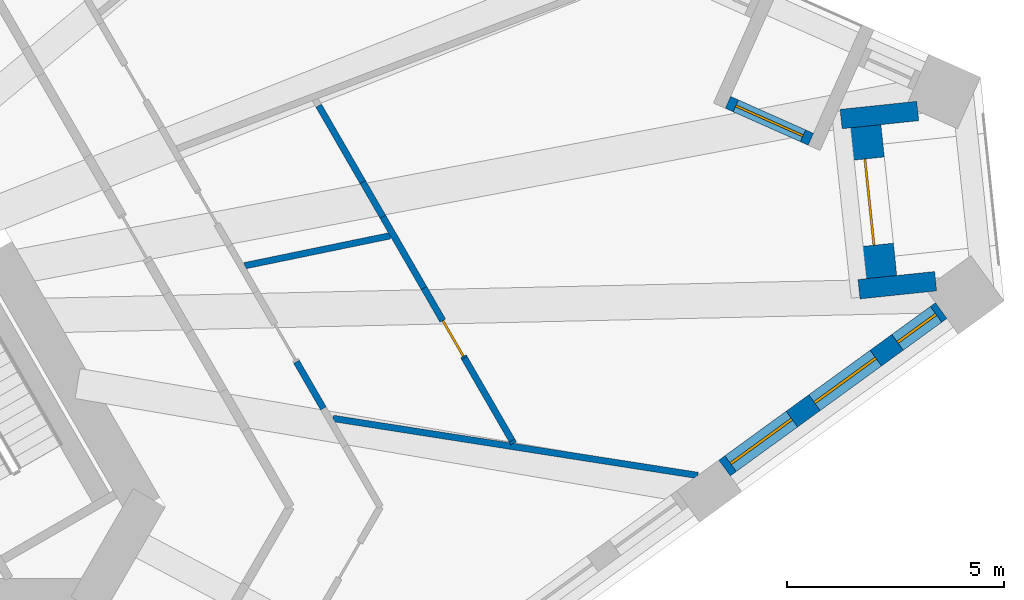
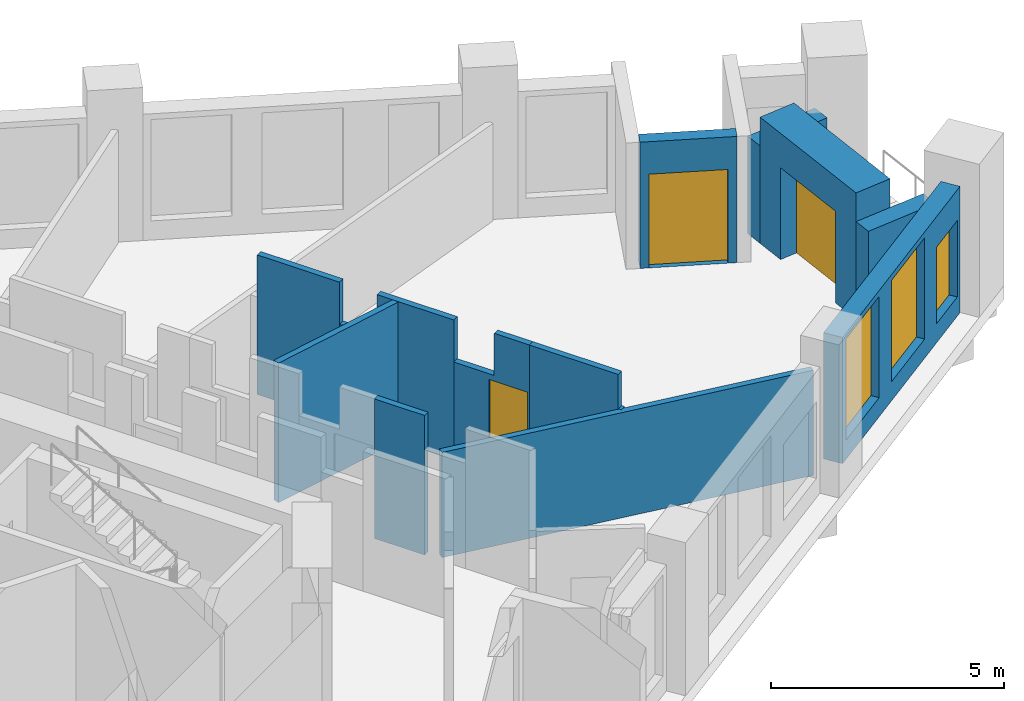
# One storey, part 6 of 14: 14 walls, 3 doors, 3 windows, 6 openings.
"""IFC4 building model written with IfcOpenShell, lengths in metres."""

from ifc_helpers import new_model, si_unit, direction, frame, frame_2d, origin, place, context, subcontext, project, spatial, polyline, rectangle, outline, extrude, material, layer, layer_set, type_object, element, fill, save


model = new_model("IFC4")

# Units and contexts
model_context = context("Model", 3, precision=1e-05, world=origin(), true_north=direction((0.0, 1.0)))
body_context = subcontext(model_context, "Body", "Model", "MODEL_VIEW")
ifc_project = project(units=[si_unit("LENGTHUNIT", "METRE"), si_unit("AREAUNIT", "SQUARE_METRE"), si_unit("VOLUMEUNIT", "CUBIC_METRE"), si_unit("PLANEANGLEUNIT", "RADIAN"), si_unit("MASSUNIT", "GRAM", prefix="KILO")], contexts=[model_context])

# Site, building, storey
site_placement = place(None, origin())
site = spatial("IfcSite", under=ifc_project, at=site_placement, CompositionType="ELEMENT")
building_placement = place(site_placement, origin())
building = spatial("IfcBuilding", under=site, at=building_placement, Name="Tramontana Tower", CompositionType="ELEMENT")
storey_placement = place(building_placement, frame((0.0, 0.0, 170.800048828125)))
storey = spatial("IfcBuildingStorey", under=building, at=storey_placement, Name="L39", CompositionType="ELEMENT", Elevation=170.800048828125)

# Wall, openings, windows
ifc_material_1 = material(Name="Precast concrete 60 MPa", Category="concrete")
ifc_layer_1 = layer(ifc_material_1, 0.449951171875)
ifc_layer_set_1 = layer_set([ifc_layer_1], Name="Precast concrete 60 MPa, 450 mm")
wall_type_1 = type_object("IfcWallType", Name="EW1 Stone-faced precast wall 450", PredefinedType="SOLIDWALL", material=ifc_layer_set_1)
wall_1_placement = place(storey_placement, frame((23.159423828125, -3.3525390625, 0.0), z_axis=(0.0, 0.0, 1.0), x_axis=(0.809005790194, 0.587800673215, 0.0)))
wall_1 = element("IfcWall", 1, at=wall_1_placement, inside=storey, type_object=wall_type_1, Name="External wall L39 face 1 bay 6", PredefinedType="SOLIDWALL", context=body_context, shape_type="SweptSolid", body=[
    extrude(rectangle(XDim=6.182861328125, YDim=0.449951171875, at=frame_2d((3.09130859375, 0.0))), origin(), (0.0, 0.0, 1.0), 3.300048828125),
])
opening_1_placement = place(wall_1_placement, frame((0.172119140625, 0.0, 0.5)))
opening_1 = element("IfcOpeningElement", 2, at=opening_1_placement, cuts=wall_1, Name="Opening M2", PredefinedType="OPENING", context=body_context, shape_type="SweptSolid", body=[
    extrude(rectangle(XDim=1.75, YDim=2.64990234375, at=frame_2d((0.875, 1.324951171875))), frame((0.0, 0.23486328125, 0.0), z_axis=(0.0, -1.0, 0.0), x_axis=(1.0, 0.0, 0.0)), (0.0, 0.0, 1.0), 0.469970703125),
])
opening_2_placement = place(wall_1_placement, frame((2.56640625, 0.0, 0.5)))
opening_2 = element("IfcOpeningElement", 3, at=opening_2_placement, cuts=wall_1, Name="Opening M2", PredefinedType="OPENING", context=body_context, shape_type="SweptSolid", body=[
    extrude(rectangle(XDim=1.75, YDim=2.64990234375, at=frame_2d((0.875, 1.324951171875))), frame((0.0, 0.23486328125, 0.0), z_axis=(0.0, -1.0, 0.0), x_axis=(1.0, 0.0, 0.0)), (0.0, 0.0, 1.0), 0.469970703125),
])
opening_3_placement = place(wall_1_placement, frame((4.935791015625, 0.0, 0.5)))
opening_3 = element("IfcOpeningElement", 4, at=opening_3_placement, cuts=wall_1, Name="Opening N2L", PredefinedType="OPENING", context=body_context, shape_type="SweptSolid", body=[
    extrude(rectangle(XDim=1.10009765625, YDim=2.0, at=frame_2d((0.550048828125, 1.0))), frame((0.0, 0.23486328125, 0.0), z_axis=(0.0, -1.0, 0.0), x_axis=(1.0, 0.0, 0.0)), (0.0, 0.0, 1.0), 0.469970703125),
])
ifc_material_2 = material(Name="Aluminum frame, double glazing unit", Category="aluminium")
window_type_1 = type_object("IfcWindowType", Name="M2 Window 1.75 x 2.65", PartitioningType="SINGLE_PANEL", PredefinedType="WINDOW", material=ifc_material_2)
window_1_placement = place(opening_1_placement, origin())
window_1 = element("IfcWindow", 5, at=window_1_placement, inside=storey, type_object=window_type_1, Name="Window M2 L39 face 1 module 16", OverallHeight=2.64990234375, OverallWidth=1.75, PartitioningType="SINGLE_PANEL", PredefinedType="WINDOW", context=body_context, shape_type="SweptSolid", body=[
    extrude(rectangle(XDim=1.75, YDim=2.64990234375, at=frame_2d((0.875, 1.324951171875))), frame((0.0, 0.030029296875, 0.0), z_axis=(0.0, -1.0, 0.0), x_axis=(1.0, 0.0, 0.0)), (0.0, 0.0, 1.0), 0.06005859375),
])
fill(opening_1, window_1)
window_2_placement = place(opening_2_placement, origin())
window_2 = element("IfcWindow", 6, at=window_2_placement, inside=storey, type_object=window_type_1, Name="Window M2 L39 face 1 module 17", OverallHeight=2.64990234375, OverallWidth=1.75, PartitioningType="SINGLE_PANEL", PredefinedType="WINDOW", context=body_context, shape_type="SweptSolid", body=[
    extrude(rectangle(XDim=1.75, YDim=2.64990234375, at=frame_2d((0.875, 1.324951171875))), frame((0.0, 0.030029296875, 0.0), z_axis=(0.0, -1.0, 0.0), x_axis=(1.0, 0.0, 0.0)), (0.0, 0.0, 1.0), 0.06005859375),
])
fill(opening_2, window_2)
ifc_material_3 = material(Name="Aluminum frame, double glazing unit", Category="aluminium")
window_type_2 = type_object("IfcWindowType", Name="N2L Window 1.1 x 2", PartitioningType="SINGLE_PANEL", PredefinedType="WINDOW", material=ifc_material_3)
window_3_placement = place(opening_3_placement, origin())
window_3 = element("IfcWindow", 7, at=window_3_placement, inside=storey, type_object=window_type_2, Name="Window N2L L39 face 1 module 18", OverallHeight=2.0, OverallWidth=1.10009765625, PartitioningType="SINGLE_PANEL", PredefinedType="WINDOW", context=body_context, shape_type="SweptSolid", body=[
    extrude(rectangle(XDim=1.10009765625, YDim=2.0, at=frame_2d((0.550048828125, 1.0))), frame((0.0, 0.030029296875, 0.0), z_axis=(0.0, -1.0, 0.0), x_axis=(1.0, 0.0, 0.0)), (0.0, 0.0, 1.0), 0.06005859375),
])
fill(opening_3, window_3)

# Walls
wall_2_placement = place(storey_placement, frame((27.619384765625, 4.888916015625, 0.0), z_axis=(0.0, 0.0, 1.0), x_axis=(-0.994517477618, -0.104570486815, 0.0)))
element("IfcWall", 8, at=wall_2_placement, inside=storey, type_object=wall_type_1, Name="Corner loggia side wall L39 K42l", PredefinedType="SOLIDWALL", context=body_context, shape_type="SweptSolid", body=[
    extrude(rectangle(XDim=1.779052734375, YDim=0.449951171875, at=frame_2d((0.8896484375, 0.0))), origin(), (0.0, 0.0, 1.0), 2.550048828125),
])
wall_3_placement = place(storey_placement, frame((28.032470703125, 0.96044921875, 0.0), z_axis=(0.0, 0.0, 1.0), x_axis=(-0.994518977937, -0.104556217051, 0.0)))
element("IfcWall", 9, at=wall_3_placement, inside=storey, type_object=wall_type_1, Name="Corner loggia side wall L39 K42r", PredefinedType="SOLIDWALL", context=body_context, shape_type="SweptSolid", body=[
    extrude(rectangle(XDim=1.779296875, YDim=0.449951171875, at=frame_2d((0.8896484375, 0.0))), origin(), (0.0, 0.0, 1.0), 2.550048828125),
])

# Wall, opening, door
ifc_material_4 = material(Name="Precast concrete 60 MPa", Category="concrete")
ifc_layer_2 = layer(ifc_material_4, 0.89990234375)
ifc_layer_set_2 = layer_set([ifc_layer_2], Name="EW2 Stone-faced corner loggia wall 900")
wall_type_2 = type_object("IfcWallType", Name="EW2 Stone-faced corner loggia wall 900", PredefinedType="SOLIDWALL", material=ifc_layer_set_2)
wall_4_placement = place(storey_placement, frame((26.321044921875, 4.526123046875, 0.0), z_axis=(0.0, 0.0, 1.0), x_axis=(0.104557701916, -0.994518821828, 0.0)))
wall_4 = element("IfcWall", 10, at=wall_4_placement, inside=storey, type_object=wall_type_2, Name="Corner loggia wall L39 K42", PredefinedType="SOLIDWALL", context=body_context, shape_type="SweptSolid", body=[
    extrude(rectangle(XDim=3.500244140625, YDim=0.89990234375, at=frame_2d((1.75, 0.0))), origin(), (0.0, 0.0, 1.0), 3.300048828125),
])
opening_4_placement = place(wall_4_placement, frame((0.75, 0.0, 0.0)))
opening_4 = element("IfcOpeningElement", 11, at=opening_4_placement, cuts=wall_4, Name="Opening BD-42C", PredefinedType="OPENING", context=body_context, shape_type="SweptSolid", body=[
    extrude(rectangle(XDim=2.0, YDim=2.39990234375, at=frame_2d((1.0, 1.199951171875))), frame((0.0, 0.4599609375, 0.0), z_axis=(0.0, -1.0, 0.0), x_axis=(1.0, 0.0, 0.0)), (0.0, 0.0, 1.0), 0.919921875),
])
ifc_material_5 = material(Name="Aluminum frame, double glazing unit", Category="aluminium")
door_type_1 = type_object("IfcDoorType", Name="BC1 Sliding door 2 x 2.4", OperationType="SLIDING_TO_LEFT", PredefinedType="DOOR", material=ifc_material_5)
door_1_placement = place(opening_4_placement, origin())
door_1 = element("IfcDoor", 12, at=door_1_placement, inside=storey, type_object=door_type_1, Name="Corner loggia door L39 K42", OperationType="SLIDING_TO_LEFT", OverallHeight=2.39990234375, OverallWidth=2.0, PredefinedType="DOOR", context=body_context, shape_type="SweptSolid", body=[
    extrude(rectangle(XDim=2.0, YDim=2.39990234375, at=frame_2d((1.0, 1.199951171875))), frame((0.0, 0.02490234375, 0.0), z_axis=(0.0, -1.0, 0.0), x_axis=(1.0, 0.0, 0.0)), (0.0, 0.0, 1.0), 0.050048828125),
])
fill(opening_4, door_1)

ifc_material_6 = material(Name="Precast concrete 60 MPa", Category="concrete")
ifc_layer_3 = layer(ifc_material_6, 0.300048828125)
ifc_layer_set_3 = layer_set([ifc_layer_3], Name="LW1 Stone-faced loggia wall 300")
wall_type_3 = type_object("IfcWallType", Name="LW1 Stone-faced loggia wall 300", PredefinedType="SOLIDWALL", material=ifc_layer_set_3)
wall_5_placement = place(storey_placement, frame((25.15185546875, 4.236083984375, 0.0), z_axis=(0.0, 0.0, 1.0), x_axis=(-0.913556597974, 0.40671162056, 0.0)))
wall_5 = element("IfcWall", 13, at=wall_5_placement, inside=storey, type_object=wall_type_3, Name="Loggia wall L39 G4S2.1", PredefinedType="SOLIDWALL", context=body_context, shape_type="SweptSolid", body=[
    extrude(rectangle(XDim=2.094482421875, YDim=0.300048828125, at=frame_2d((1.04736328125, 0.0))), origin(), (0.0, 0.0, 1.0), 3.300048828125),
])
opening_5_placement = place(wall_5_placement, frame((0.197265625, 0.0, 0.0)))
opening_5 = element("IfcOpeningElement", 14, at=opening_5_placement, cuts=wall_5, Name="Opening BD-4S2-01", PredefinedType="OPENING", context=body_context, shape_type="SweptSolid", body=[
    extrude(rectangle(XDim=1.699951171875, YDim=2.449951171875, at=frame_2d((0.85009765625, 1.22509765625))), frame((0.0, 0.159912109375, 0.0), z_axis=(0.0, -1.0, 0.0), x_axis=(1.0, 0.0, 0.0)), (0.0, 0.0, 1.0), 0.320068359375),
])
ifc_material_7 = material(Name="Aluminum frame, double glazing unit", Category="aluminium")
door_type_2 = type_object("IfcDoorType", Name="BD2 Sliding door 1.7 x 2.45", OperationType="SLIDING_TO_LEFT", PredefinedType="DOOR", material=ifc_material_7)
door_2_placement = place(opening_5_placement, origin())
door_2 = element("IfcDoor", 15, at=door_2_placement, inside=storey, type_object=door_type_2, Name="Loggia door L39 G4S2.1", OperationType="SLIDING_TO_LEFT", OverallHeight=2.449951171875, OverallWidth=1.699951171875, PredefinedType="DOOR", context=body_context, shape_type="SweptSolid", body=[
    extrude(rectangle(XDim=1.699951171875, YDim=2.449951171875, at=frame_2d((0.85009765625, 1.22509765625))), frame((0.0, 0.02490234375, 0.0), z_axis=(0.0, -1.0, 0.0), x_axis=(1.0, 0.0, 0.0)), (0.0, 0.0, 1.0), 0.050048828125),
])
fill(opening_5, door_2)

# Walls
ifc_material_8 = material(Name="Gypsum board partition")
ifc_layer_4 = layer(ifc_material_8, 0.14990234375)
ifc_layer_set_4 = layer_set([ifc_layer_4], Name="PARTITION 150")
wall_type_4 = type_object("IfcWallType", Name="PARTITION 150", PredefinedType="PARTITIONING", material=ifc_layer_set_4)
wall_6_placement = place(storey_placement, frame((13.279052734375, -0.900146484375, 0.0), z_axis=(0.0, 0.0, 1.0), x_axis=(0.500090980937, -0.865972869544, 0.0)))
element("IfcWall", 16, at=wall_6_placement, inside=storey, type_object=wall_type_4, Name="Wall v40-pw24-9", PredefinedType="PARTITIONING", context=body_context, shape_type="SweptSolid", body=[
    extrude(rectangle(XDim=1.242431640625, YDim=0.14990234375, at=frame_2d((0.62109375, 0.0))), origin(), (0.0, 0.0, 1.0), 3.64990234375),
])
wall_7_placement = place(storey_placement, frame((12.085205078125, 1.317626953125, 0.0), z_axis=(0.0, 0.0, 1.0), x_axis=(0.979403580684, 0.201912421962, 0.0)))
element("IfcWall", 17, at=wall_7_placement, inside=storey, type_object=wall_type_4, Name="Wall v40-pw30", PredefinedType="PARTITIONING", context=body_context, shape_type="SweptSolid", body=[
    extrude(rectangle(XDim=3.42431640625, YDim=0.14990234375, at=frame_2d((1.712158203125, 0.0))), origin(), (0.0, 0.0, 1.0), 3.64990234375),
])
wall_8_placement = place(storey_placement, frame((13.792724609375, 5.010498046875, 0.0), z_axis=(0.0, 0.0, 1.0), x_axis=(0.499957811549, -0.866049759928, 0.0)))
element("IfcWall", 18, at=wall_8_placement, inside=storey, type_object=wall_type_4, Name="Wall v40-pw31-1", PredefinedType="PARTITIONING", context=body_context, shape_type="SweptSolid", body=[
    extrude(rectangle(XDim=2.035400390625, YDim=0.14990234375, at=frame_2d((1.017578125, 0.0))), origin(), (0.0, 0.0, 1.0), 3.64990234375),
])
wall_9_placement = place(storey_placement, frame((14.810302734375, 3.247802734375, 0.0), z_axis=(0.0, 0.0, 1.0), x_axis=(0.499935264145, -0.866062775822, 0.0)))
element("IfcWall", 19, at=wall_9_placement, inside=storey, type_object=wall_type_4, Name="Wall v40-pw31-2", PredefinedType="PARTITIONING", context=body_context, shape_type="SweptSolid", body=[
    extrude(rectangle(XDim=0.9267578125, YDim=0.14990234375, at=frame_2d((0.46337890625, 0.0))), origin(), (0.0, 0.0, 1.0), 2.550048828125),
])
wall_10_placement = place(storey_placement, frame((15.273681640625, 2.445068359375, 0.0), z_axis=(0.0, 0.0, 1.0), x_axis=(0.499971120268, -0.866042076863, 0.0)))
element("IfcWall", 20, at=wall_10_placement, inside=storey, type_object=wall_type_4, Name="Wall v40-pw31-3", PredefinedType="PARTITIONING", context=body_context, shape_type="SweptSolid", body=[
    extrude(rectangle(XDim=1.89794921875, YDim=0.14990234375, at=frame_2d((0.948974609375, 0.0))), origin(), (0.0, 0.0, 1.0), 3.64990234375),
])

# Wall, opening, door
wall_11_placement = place(storey_placement, frame((16.22265625, 0.80126953125, 0.0), z_axis=(0.0, 0.0, 1.0), x_axis=(0.500061949227, -0.865989634427, 0.0)))
wall_11 = element("IfcWall", 21, at=wall_11_placement, inside=storey, type_object=wall_type_4, Name="Wall v40-pw31-4", PredefinedType="PARTITIONING", context=body_context, shape_type="SweptSolid", body=[
    extrude(outline(polyline([(0.0, 0.0), (1.867431640625, 0.0), (1.867431640625, 3.64990234375), (0.997802734375, 3.64990234375), (0.997802734375, 2.550048828125), (0.0, 2.550048828125), (0.0, 0.0)])), frame((0.0, 0.074951171875, 0.0), z_axis=(0.0, -1.0, 0.0), x_axis=(1.0, 0.0, 0.0)), (0.0, 0.0, 1.0), 0.14990234375),
])
opening_6_placement = place(wall_11_placement, frame((0.867431640625, 0.0, 0.0)))
opening_6 = element("IfcOpeningElement", 22, at=opening_6_placement, cuts=wall_11, Name="Opening B4A-21", PredefinedType="OPENING", context=body_context, shape_type="SweptSolid", body=[
    extrude(rectangle(XDim=0.949951171875, YDim=2.39990234375, at=frame_2d((0.47509765625, 1.199951171875))), frame((0.0, 0.0849609375, 0.0), z_axis=(0.0, -1.0, 0.0), x_axis=(1.0, 0.0, 0.0)), (0.0, 0.0, 1.0), 0.169921875),
])
ifc_material_9 = material(Name="Painted timber", Category="wood")
door_type_3 = type_object("IfcDoorType", Name="DOOR ROOM 950", OperationType="SINGLE_SWING_LEFT", PredefinedType="DOOR", material=ifc_material_9)
door_3_placement = place(opening_6_placement, origin())
door_3 = element("IfcDoor", 23, at=door_3_placement, inside=storey, type_object=door_type_3, Name="Door B4A-21", OperationType="SINGLE_SWING_LEFT", OverallHeight=2.39990234375, OverallWidth=0.949951171875, PredefinedType="DOOR", context=body_context, shape_type="SweptSolid", body=[
    extrude(rectangle(XDim=0.949951171875, YDim=2.39990234375, at=frame_2d((0.47509765625, 1.199951171875))), frame((0.0, 0.02490234375, 0.0), z_axis=(0.0, -1.0, 0.0), x_axis=(1.0, 0.0, 0.0)), (0.0, 0.0, 1.0), 0.050048828125),
])
fill(opening_6, door_3)

# Walls
wall_12_placement = place(storey_placement, frame((17.156494140625, -0.81591796875, 0.0), z_axis=(0.0, 0.0, 1.0), x_axis=(0.500023898135, -0.86601160575, 0.0)))
element("IfcWall", 24, at=wall_12_placement, inside=storey, type_object=wall_type_4, Name="Wall v40-pw31-5", PredefinedType="PARTITIONING", context=body_context, shape_type="SweptSolid", body=[
    extrude(rectangle(XDim=2.19677734375, YDim=0.14990234375, at=frame_2d((1.098388671875, 0.0))), origin(), (0.0, 0.0, 1.0), 3.64990234375),
])
wall_13_placement = place(storey_placement, frame((18.2548828125, -2.71826171875, 0.0), z_axis=(0.0, 0.0, 1.0), x_axis=(0.500005339912, -0.866022320763, 0.0)))
element("IfcWall", 25, at=wall_13_placement, inside=storey, type_object=wall_type_4, Name="Wall v40-pw31-6", PredefinedType="PARTITIONING", context=body_context, shape_type="SweptSolid", body=[
    extrude(rectangle(XDim=0.07470703125, YDim=0.14990234375, at=frame_2d((0.037353515625, 0.0))), origin(), (0.0, 0.0, 1.0), 2.75),
])
wall_14_placement = place(storey_placement, frame((22.541748046875, -3.523193359375, 0.0), z_axis=(0.0, 0.0, 1.0), x_axis=(-0.988002612028, 0.154437167243, 0.0)))
element("IfcWall", 26, at=wall_14_placement, inside=storey, type_object=wall_type_4, Name="Wall v40-pw36-0", PredefinedType="PARTITIONING", context=body_context, shape_type="SweptSolid", body=[
    extrude(rectangle(XDim=8.52392578125, YDim=0.14990234375, at=frame_2d((4.261962890625, 0.0))), origin(), (0.0, 0.0, 1.0), 2.75),
])

save(model, "model.ifc")
